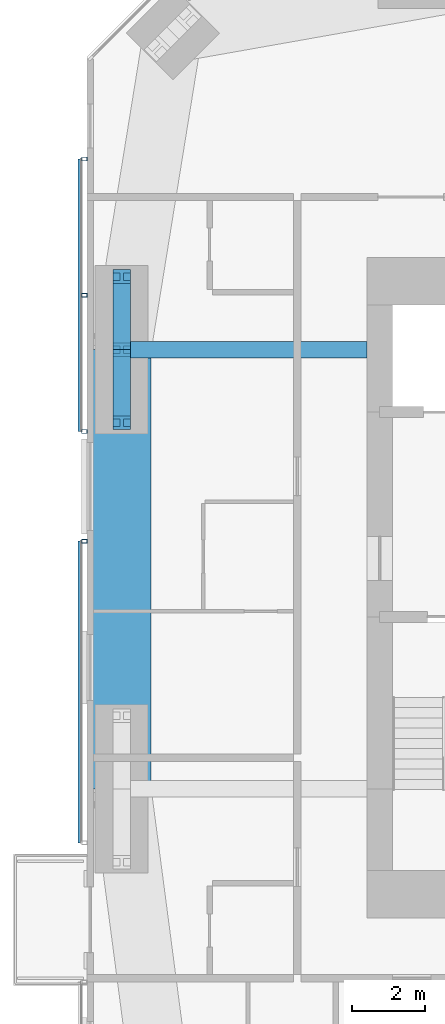
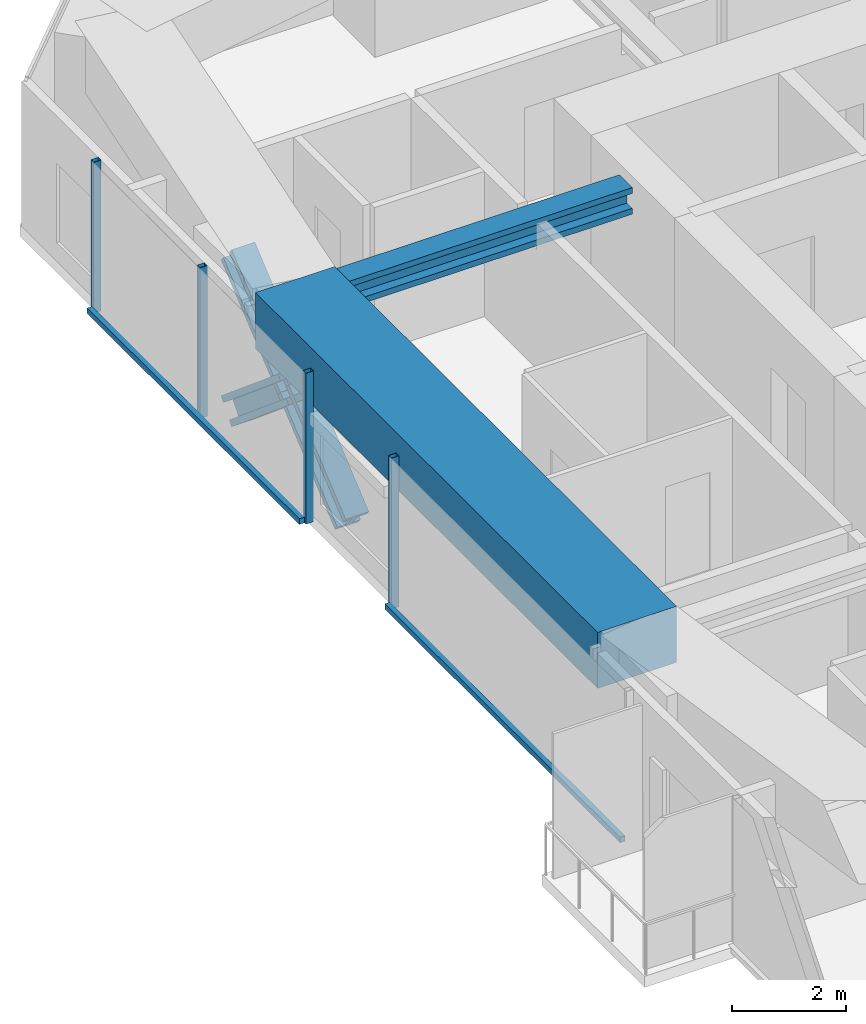
# One storey, part 5 of 22: 10 members, 2 beams, 2 elements without a shape of their own.
"""IFC4 building model written with IfcOpenShell, lengths in metres."""

from ifc_helpers import new_model, si_unit, direction, frame, origin, origin_2d, place, context, subcontext, project, spatial, rectangle, hollow_rectangle, i_section, extrude, material, material_profile, profile_set, type_object, element, aggregate, save


model = new_model("IFC4")

# Units and contexts
model_context = context("Model", 3, precision=1e-05, world=origin(), true_north=direction((0.0, 1.0)))
body_context = subcontext(model_context, "Body", "Model", "MODEL_VIEW")
ifc_project = project(units=[si_unit("LENGTHUNIT", "METRE"), si_unit("AREAUNIT", "SQUARE_METRE"), si_unit("VOLUMEUNIT", "CUBIC_METRE"), si_unit("PLANEANGLEUNIT", "RADIAN"), si_unit("MASSUNIT", "GRAM", prefix="KILO")], contexts=[model_context])

# Site, building, storey
site_placement = place(None, origin())
site = spatial("IfcSite", under=ifc_project, at=site_placement, CompositionType="ELEMENT")
building_placement = place(site_placement, origin())
building = spatial("IfcBuilding", under=site, at=building_placement, Name="Jalousie Tower", CompositionType="ELEMENT")
storey_placement = place(building_placement, frame((0.0, 0.0, 177.800048828125)))
storey = spatial("IfcBuildingStorey", under=building, at=storey_placement, Name="L48", CompositionType="ELEMENT", Elevation=177.800048828125)

# Beam
ifc_material_1 = material(Name="Steel ASTM A992 Grade 50", Category="steel")
ifc_material_profile_1 = material_profile(ifc_material_1, i_section(OverallWidth=0.45458984375, OverallDepth=0.569091796875, WebThickness=0.077880859375, FlangeThickness=0.124755859375, at=origin_2d()), Name="W14X730")
ifc_profile_set_1 = profile_set([ifc_material_profile_1], Name="Steel ASTM A992 Grade 50")
beam_type_1 = type_object("IfcBeamType", Name="LEAN COLLECTOR W14X730", PredefinedType="BEAM", material=ifc_profile_set_1)
beam_1_placement = place(storey_placement, frame((12.949951171875, 25.0, 2.825439453125), z_axis=(1.0, 0.0, 0.0), x_axis=(0.0, 1.0, 0.0)))
element("IfcBeam", 1, at=beam_1_placement, inside=storey, type_object=beam_type_1, Name="Lean collector under L49", PredefinedType="BEAM", context=body_context, shape_type="SweptSolid", body=[
    extrude(i_section(OverallWidth=0.45458984375, OverallDepth=0.569091796875, WebThickness=0.077880859375, FlangeThickness=0.124755859375, at=origin_2d()), origin(), (0.0, 0.0, 1.0), 6.699951171875),
])

# Members
ifc_material_2 = material(Name="Steel ASTM A992 Grade 50", Category="steel")
ifc_material_profile_2 = material_profile(ifc_material_2, i_section(OverallWidth=0.472412109375, OverallDepth=0.5791015625, WebThickness=0.094970703125, FlangeThickness=0.1298828125, at=origin_2d()), Name="W14X808")
ifc_profile_set_2 = profile_set([ifc_material_profile_2], Name="Steel ASTM A992 Grade 50")
member_type_1 = type_object("IfcMemberType", Name="PERIMETER BRACE W14X808", PredefinedType="BRACE", material=ifc_profile_set_2)
for number, where, z_axis, x_axis, name in (
    (2, (12.949951171875, 23.0, -0.60009765625), (0.0, 0.766638753323, 0.642078672674), (-1.0, 0.0, 0.0), "Perimeter brace 13 L48 part 1"),
    (3, (12.949951171875, 25.0, 1.074951171875), (0.0, 0.766638753323, 0.642078672674), (-1.0, 0.0, 0.0), "Perimeter brace 13 L48 part 2"),
    (4, (12.949951171875, 27.0, -0.60009765625), (0.0, -0.766638753323, 0.642078672674), (1.0, 0.0, 0.0), "Perimeter brace 13 L48 part 3"),
    (5, (12.949951171875, 25.0, 1.074951171875), (0.0, -0.766638753323, 0.642078672674), (1.0, 0.0, 0.0), "Perimeter brace 13 L48 part 4"),
):
    element("IfcMember", number, at=place(storey_placement, frame(where, z_axis=z_axis, x_axis=x_axis)), inside=storey, type_object=member_type_1, Name=name, PredefinedType="BRACE", context=body_context, shape_type="SweptSolid", body=[
        extrude(i_section(OverallWidth=0.472412109375, OverallDepth=0.5791015625, WebThickness=0.094970703125, FlangeThickness=0.1298828125, at=origin_2d()), origin(), (0.0, 0.0, 1.0), 2.60888671875),
    ])

# Beam
ifc_material_3 = material(Name="Concrete f'c 40 MPa", Category="concrete")
ifc_material_profile_3 = material_profile(ifc_material_3, rectangle(XDim=1.60009765625, YDim=1.199951171875, at=origin_2d()), Name="RC 1600x1200")
ifc_profile_set_3 = profile_set([ifc_material_profile_3], Name="Concrete f'c 40 MPa")
beam_type_2 = type_object("IfcBeamType", Name="RC BEAM 1600x1200", PredefinedType="BEAM", material=ifc_profile_set_3)
beam_2_placement = place(storey_placement, frame((12.949951171875, 25.0, 2.75), z_axis=(0.0, -1.0, 0.0), x_axis=(1.0, 0.0, 0.0)))
element("IfcBeam", 6, at=beam_2_placement, inside=storey, type_object=beam_type_2, Name="Edge band beam 13-14 under L49", PredefinedType="BEAM", context=body_context, shape_type="SweptSolid", body=[
    extrude(rectangle(XDim=1.60009765625, YDim=1.199951171875, at=origin_2d()), origin(), (0.0, 0.0, 1.0), 12.0),
])

# Curtain wall, members
ifc_material_4 = material(Name="Perforated aluminium sheet", Category="aluminium")
curtain_wall_type = type_object("IfcCurtainWallType", Name="SOLAR SCREEN SS-1", PredefinedType="USERDEFINED", material=ifc_material_4)
curtain_wall_1_placement = place(storey_placement, origin())
curtain_wall_1 = element("IfcCurtainWall", 7, at=curtain_wall_1_placement, inside=storey, type_object=curtain_wall_type, Name="Solar screen L48", ObjectType="SOLAR SCREEN SS-1", PredefinedType="USERDEFINED")
ifc_material_5 = material(Name="Steel ASTM A500 Grade C", Category="steel")
ifc_material_profile_4 = material_profile(ifc_material_5, hollow_rectangle(XDim=0.1015625, YDim=0.15234375, WallThickness=0.00634765625, at=origin_2d()), Name="HSS6X4X1/4")
ifc_profile_set_4 = profile_set([ifc_material_profile_4], Name="Steel ASTM A500 Grade C")
member_type_2 = type_object("IfcMemberType", Name="SOLAR SCREEN SS-1 MULLION", PredefinedType="MULLION", material=ifc_profile_set_4)
member_1_placement = place(storey_placement, frame((11.9287109375, 30.2119140625, -0.1201171875), z_axis=(0.0, 0.0, 1.0), x_axis=(0.0, -1.0, 0.0)))
member_1 = element("IfcMember", 8, at=member_1_placement, type_object=member_type_2, Name="SS1 post 1", PredefinedType="MULLION", context=body_context, shape_type="SweptSolid", body=[
    extrude(hollow_rectangle(XDim=0.1015625, YDim=0.15234375, WallThickness=0.00634765625, at=origin_2d()), origin(), (0.0, 0.0, 1.0), 3.22998046875),
])
member_2_placement = place(storey_placement, frame((11.9287109375, 26.4892578125, -0.1201171875), z_axis=(0.0, 0.0, 1.0), x_axis=(0.0, -1.0, 0.0)))
member_2 = element("IfcMember", 9, at=member_2_placement, type_object=member_type_2, Name="SS1 post 2", PredefinedType="MULLION", context=body_context, shape_type="SweptSolid", body=[
    extrude(hollow_rectangle(XDim=0.1015625, YDim=0.15234375, WallThickness=0.00634765625, at=origin_2d()), origin(), (0.0, 0.0, 1.0), 3.22998046875),
])
member_3_placement = place(storey_placement, frame((11.9287109375, 22.766845703125, -0.1201171875), z_axis=(0.0, 0.0, 1.0), x_axis=(0.0, -1.0, 0.0)))
member_3 = element("IfcMember", 10, at=member_3_placement, type_object=member_type_2, Name="SS1 post 3", PredefinedType="MULLION", context=body_context, shape_type="SweptSolid", body=[
    extrude(hollow_rectangle(XDim=0.1015625, YDim=0.15234375, WallThickness=0.00634765625, at=origin_2d()), origin(), (0.0, 0.0, 1.0), 3.22998046875),
])

# Curtain wall, member
curtain_wall_2_placement = place(storey_placement, origin())
curtain_wall_2 = element("IfcCurtainWall", 11, at=curtain_wall_2_placement, inside=storey, type_object=curtain_wall_type, Name="Solar screen L48", ObjectType="SOLAR SCREEN SS-1", PredefinedType="USERDEFINED")
member_4_placement = place(storey_placement, frame((11.9287109375, 19.766845703125, -0.1201171875), z_axis=(0.0, 0.0, 1.0), x_axis=(0.0, -1.0, 0.0)))
member_4 = element("IfcMember", 12, at=member_4_placement, type_object=member_type_2, Name="SS1 post 1", PredefinedType="MULLION", context=body_context, shape_type="SweptSolid", body=[
    extrude(hollow_rectangle(XDim=0.1015625, YDim=0.15234375, WallThickness=0.00634765625, at=origin_2d()), origin(), (0.0, 0.0, 1.0), 3.22998046875),
])

# Member
ifc_material_6 = material(Name="Extruded aluminium screen rail", Category="aluminium")
ifc_material_profile_5 = material_profile(ifc_material_6, rectangle(XDim=0.1015625, YDim=0.1201171875, at=origin_2d()), Name="RAIL 102x120")
ifc_profile_set_5 = profile_set([ifc_material_profile_5], Name="Extruded aluminium screen rail")
member_type_3 = type_object("IfcMemberType", Name="SOLAR SCREEN SS-1 TRANSOM", PredefinedType="USERDEFINED", material=ifc_profile_set_5)
member_5_placement = place(storey_placement, frame((11.8017578125, 30.2119140625, -0.06005859375), z_axis=(0.0, -1.0, 0.0), x_axis=(1.0, 0.0, 0.0)))
member_5 = element("IfcMember", 13, at=member_5_placement, type_object=member_type_3, Name="SS1 rail", ObjectType="TRANSOM", PredefinedType="USERDEFINED", context=body_context, shape_type="SweptSolid", body=[
    extrude(rectangle(XDim=0.1015625, YDim=0.1201171875, at=origin_2d()), origin(), (0.0, 0.0, 1.0), 7.445068359375),
])

aggregate(curtain_wall_1, [member_1, member_2, member_3, member_5])

member_6_placement = place(storey_placement, frame((11.8017578125, 19.766845703125, -0.06005859375), z_axis=(0.0, -1.0, 0.0), x_axis=(1.0, 0.0, 0.0)))
member_6 = element("IfcMember", 14, at=member_6_placement, type_object=member_type_3, Name="SS1 rail", ObjectType="TRANSOM", PredefinedType="USERDEFINED", context=body_context, shape_type="SweptSolid", body=[
    extrude(rectangle(XDim=0.1015625, YDim=0.1201171875, at=origin_2d()), origin(), (0.0, 0.0, 1.0), 8.241943359375),
])

aggregate(curtain_wall_2, [member_4, member_6])

save(model, "model.ifc")
